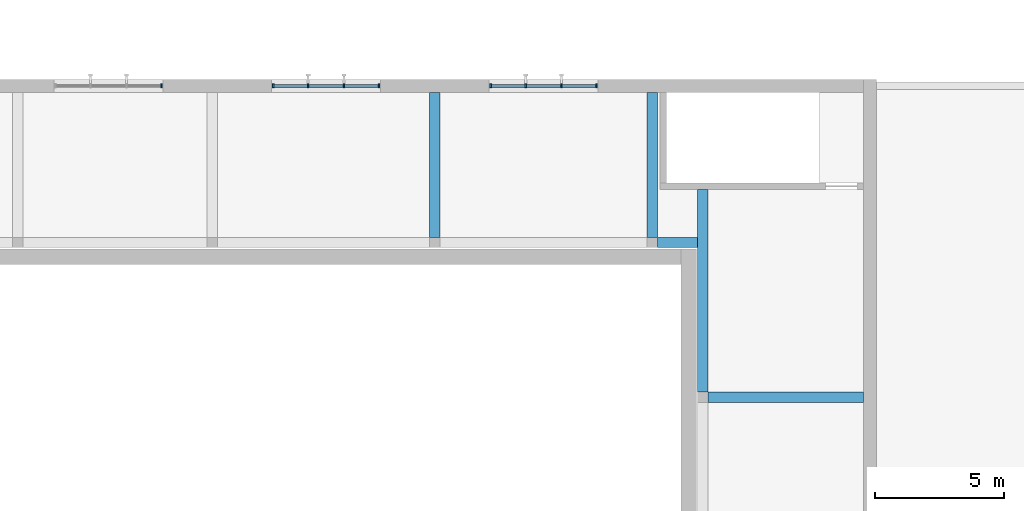
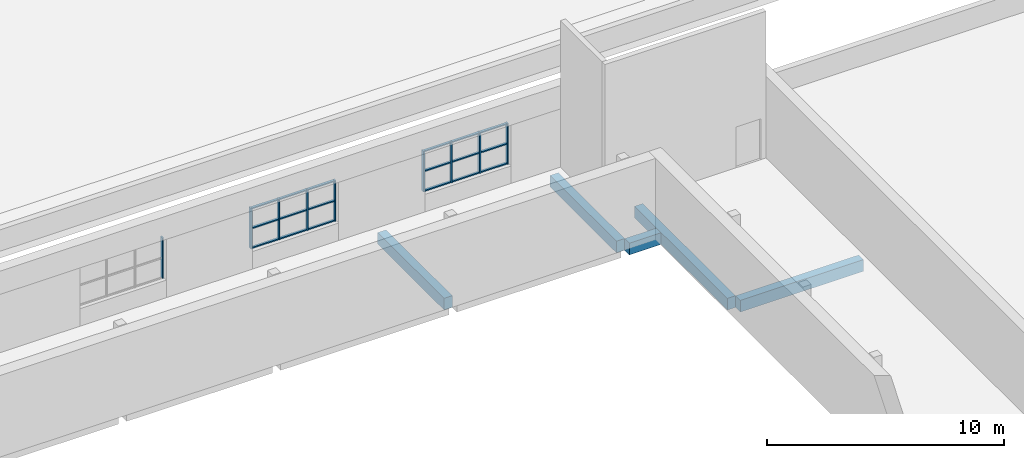
# One storey, part 29 of 60: 27 members, 5 beams, 3 elements without a shape of their own.
"""IFC4 building model written with IfcOpenShell, lengths in metres."""

from ifc_helpers import new_model, si_unit, direction, frame, origin, origin_2d, place, context, subcontext, project, spatial, rectangle, extrude, material, material_profile, profile_set, type_object, element, aggregate, save


model = new_model("IFC4")

# Units and contexts
model_context = context("Model", 3, precision=1e-05, world=origin(), true_north=direction((0.0, 1.0)))
body_context = subcontext(model_context, "Body", "Model", "MODEL_VIEW")
ifc_project = project(units=[si_unit("LENGTHUNIT", "METRE"), si_unit("AREAUNIT", "SQUARE_METRE"), si_unit("VOLUMEUNIT", "CUBIC_METRE"), si_unit("PLANEANGLEUNIT", "RADIAN"), si_unit("MASSUNIT", "GRAM", prefix="KILO")], contexts=[model_context])

# Site, building, storey
site_placement = place(None, origin())
site = spatial("IfcSite", under=ifc_project, at=site_placement, CompositionType="ELEMENT")
building_placement = place(site_placement, origin())
building = spatial("IfcBuilding", under=site, at=building_placement, Name="Ljudholm Concert House", CompositionType="ELEMENT")
storey_placement = place(building_placement, frame((0.0, 0.0, 15.0)))
storey = spatial("IfcBuildingStorey", under=building, at=storey_placement, Name="L03", CompositionType="ELEMENT", Elevation=15.0)

# Curtain wall, member
ifc_material_1 = material(Name="Aluminium curtain wall with impact-rated laminated glass", Category="aluminium")
curtain_wall_type = type_object("IfcCurtainWallType", Name="CURTAIN WALL 1400", PredefinedType="NOTDEFINED", material=ifc_material_1)
curtain_wall_1_placement = place(storey_placement, origin())
curtain_wall_1 = element("IfcCurtainWall", 1, at=curtain_wall_1_placement, inside=storey, type_object=curtain_wall_type, Name="Promenade curtain wall", PredefinedType="NOTDEFINED")
ifc_material_2 = material(Name="Aluminium extrusion", Category="aluminium")
ifc_material_profile_1 = material_profile(ifc_material_2, rectangle(XDim=0.159912109375, YDim=0.06005859375, at=origin_2d()), Name="MULLION 60x160")
ifc_profile_set_1 = profile_set([ifc_material_profile_1], Name="Aluminium extrusion")
member_type_1 = type_object("IfcMemberType", Name="MULLION 60x160", PredefinedType="MULLION", material=ifc_profile_set_1)
member_1_placement = place(storey_placement, frame((69.0400390625, 96.39990234375, 0.89990234375), z_axis=(0.0, 0.0, 1.0), x_axis=(0.0, 1.0, 0.0)))
member_1 = element("IfcMember", 2, at=member_1_placement, type_object=member_type_1, Name="Mullion", PredefinedType="MULLION", context=body_context, shape_type="SweptSolid", body=[
    extrude(rectangle(XDim=0.159912109375, YDim=0.06005859375, at=origin_2d()), origin(), (0.0, 0.0, 1.0), 2.10009765625),
])
aggregate(curtain_wall_1, [member_1])

# Curtain wall, members
curtain_wall_2_placement = place(storey_placement, origin())
curtain_wall_2 = element("IfcCurtainWall", 3, at=curtain_wall_2_placement, inside=storey, type_object=curtain_wall_type, Name="Promenade curtain wall", PredefinedType="NOTDEFINED")
member_2_placement = place(storey_placement, frame((73.360107421875, 96.39990234375, 0.89990234375), z_axis=(0.0, 0.0, 1.0), x_axis=(0.0, 1.0, 0.0)))
member_2 = element("IfcMember", 4, at=member_2_placement, type_object=member_type_1, Name="Mullion", PredefinedType="MULLION", context=body_context, shape_type="SweptSolid", body=[
    extrude(rectangle(XDim=0.159912109375, YDim=0.06005859375, at=origin_2d()), origin(), (0.0, 0.0, 1.0), 2.10009765625),
])
member_3_placement = place(storey_placement, frame((74.7099609375, 96.39990234375, 0.89990234375), z_axis=(0.0, 0.0, 1.0), x_axis=(0.0, 1.0, 0.0)))
member_3 = element("IfcMember", 5, at=member_3_placement, type_object=member_type_1, Name="Mullion", PredefinedType="MULLION", context=body_context, shape_type="SweptSolid", body=[
    extrude(rectangle(XDim=0.159912109375, YDim=0.06005859375, at=origin_2d()), origin(), (0.0, 0.0, 1.0), 2.10009765625),
])
member_4_placement = place(storey_placement, frame((76.090087890625, 96.39990234375, 0.89990234375), z_axis=(0.0, 0.0, 1.0), x_axis=(0.0, 1.0, 0.0)))
member_4 = element("IfcMember", 6, at=member_4_placement, type_object=member_type_1, Name="Mullion", PredefinedType="MULLION", context=body_context, shape_type="SweptSolid", body=[
    extrude(rectangle(XDim=0.159912109375, YDim=0.06005859375, at=origin_2d()), origin(), (0.0, 0.0, 1.0), 2.10009765625),
])
member_5_placement = place(storey_placement, frame((77.43994140625, 96.39990234375, 0.89990234375), z_axis=(0.0, 0.0, 1.0), x_axis=(0.0, 1.0, 0.0)))
member_5 = element("IfcMember", 7, at=member_5_placement, type_object=member_type_1, Name="Mullion", PredefinedType="MULLION", context=body_context, shape_type="SweptSolid", body=[
    extrude(rectangle(XDim=0.159912109375, YDim=0.06005859375, at=origin_2d()), origin(), (0.0, 0.0, 1.0), 2.10009765625),
])

curtain_wall_3_placement = place(storey_placement, origin())
curtain_wall_3 = element("IfcCurtainWall", 8, at=curtain_wall_3_placement, inside=storey, type_object=curtain_wall_type, Name="Promenade curtain wall", PredefinedType="NOTDEFINED")
member_6_placement = place(storey_placement, frame((81.760009765625, 96.39990234375, 0.89990234375), z_axis=(0.0, 0.0, 1.0), x_axis=(0.0, 1.0, 0.0)))
member_6 = element("IfcMember", 9, at=member_6_placement, type_object=member_type_1, Name="Mullion", PredefinedType="MULLION", context=body_context, shape_type="SweptSolid", body=[
    extrude(rectangle(XDim=0.159912109375, YDim=0.06005859375, at=origin_2d()), origin(), (0.0, 0.0, 1.0), 2.10009765625),
])
member_7_placement = place(storey_placement, frame((83.110107421875, 96.39990234375, 0.89990234375), z_axis=(0.0, 0.0, 1.0), x_axis=(0.0, 1.0, 0.0)))
member_7 = element("IfcMember", 10, at=member_7_placement, type_object=member_type_1, Name="Mullion", PredefinedType="MULLION", context=body_context, shape_type="SweptSolid", body=[
    extrude(rectangle(XDim=0.159912109375, YDim=0.06005859375, at=origin_2d()), origin(), (0.0, 0.0, 1.0), 2.10009765625),
])
member_8_placement = place(storey_placement, frame((84.489990234375, 96.39990234375, 0.89990234375), z_axis=(0.0, 0.0, 1.0), x_axis=(0.0, 1.0, 0.0)))
member_8 = element("IfcMember", 11, at=member_8_placement, type_object=member_type_1, Name="Mullion", PredefinedType="MULLION", context=body_context, shape_type="SweptSolid", body=[
    extrude(rectangle(XDim=0.159912109375, YDim=0.06005859375, at=origin_2d()), origin(), (0.0, 0.0, 1.0), 2.10009765625),
])
member_9_placement = place(storey_placement, frame((85.840087890625, 96.39990234375, 0.89990234375), z_axis=(0.0, 0.0, 1.0), x_axis=(0.0, 1.0, 0.0)))
member_9 = element("IfcMember", 12, at=member_9_placement, type_object=member_type_1, Name="Mullion", PredefinedType="MULLION", context=body_context, shape_type="SweptSolid", body=[
    extrude(rectangle(XDim=0.159912109375, YDim=0.06005859375, at=origin_2d()), origin(), (0.0, 0.0, 1.0), 2.10009765625),
])

# Beams
ifc_material_3 = material(Name="Concrete 6,500 psi", Category="concrete")
ifc_material_profile_2 = material_profile(ifc_material_3, rectangle(XDim=0.39990234375, YDim=0.60009765625, at=origin_2d()), Name="RC BEAM 400x600")
ifc_profile_set_2 = profile_set([ifc_material_profile_2], Name="Concrete 6,500 psi")
beam_type = type_object("IfcBeamType", Name="RC BEAM 400x600", PredefinedType="BEAM", material=ifc_profile_set_2)
for number, where, z_axis, x_axis, name in (
    (13, (79.60009765625, 90.550048828125, -0.550048828125), (0.0, 1.0, 0.0), (-1.0, 0.0, 0.0), "Ring cross beam"),
    (14, (88.0, 90.550048828125, -0.550048828125), (0.0, 1.0, 0.0), (-1.0, 0.0, 0.0), "Ring cross beam"),
):
    element("IfcBeam", number, at=place(storey_placement, frame(where, z_axis=z_axis, x_axis=x_axis)), inside=storey, type_object=beam_type, Name=name, PredefinedType="BEAM", context=body_context, shape_type="SweptSolid", body=[
        extrude(rectangle(XDim=0.39990234375, YDim=0.60009765625, at=origin_2d()), origin(), (0.0, 0.0, 1.0), 5.599853515625),
    ])
beam_1_placement = place(storey_placement, frame((90.14990234375, 84.3701171875, -0.550048828125), z_axis=(1.0, 0.0, 0.0), x_axis=(0.0, 1.0, 0.0)))
element("IfcBeam", 15, at=beam_1_placement, inside=storey, type_object=beam_type, Name="Ring cross beam", PredefinedType="BEAM", context=body_context, shape_type="SweptSolid", body=[
    extrude(rectangle(XDim=0.39990234375, YDim=0.60009765625, at=origin_2d()), origin(), (0.0, 0.0, 1.0), 6.0),
])
beam_2_placement = place(storey_placement, frame((88.199951171875, 90.35009765625, -0.550048828125), z_axis=(1.0, 0.0, 0.0), x_axis=(0.0, 1.0, 0.0)))
element("IfcBeam", 16, at=beam_2_placement, inside=storey, type_object=beam_type, Name="Ring beam", PredefinedType="BEAM", context=body_context, shape_type="SweptSolid", body=[
    extrude(rectangle(XDim=0.39990234375, YDim=0.60009765625, at=origin_2d()), origin(), (0.0, 0.0, 1.0), 1.550048828125),
])
beam_3_placement = place(storey_placement, frame((89.949951171875, 84.570068359375, -0.550048828125), z_axis=(0.0, 1.0, 0.0), x_axis=(-1.0, 0.0, 0.0)))
element("IfcBeam", 17, at=beam_3_placement, inside=storey, type_object=beam_type, Name="Ring beam", PredefinedType="BEAM", context=body_context, shape_type="SweptSolid", body=[
    extrude(rectangle(XDim=0.39990234375, YDim=0.60009765625, at=origin_2d()), origin(), (0.0, 0.0, 1.0), 7.829833984375),
])

# Member
ifc_material_4 = material(Name="Aluminium extrusion", Category="aluminium")
ifc_material_profile_3 = material_profile(ifc_material_4, rectangle(XDim=0.1201171875, YDim=0.06005859375, at=origin_2d()), Name="TRANSOM 60x120")
ifc_profile_set_3 = profile_set([ifc_material_profile_3], Name="Aluminium extrusion")
member_type_2 = type_object("IfcMemberType", Name="TRANSOM 60x120", PredefinedType="USERDEFINED", material=ifc_profile_set_3)
member_10_placement = place(storey_placement, frame((73.389892578125, 96.39990234375, 0.929931640625), z_axis=(1.0, 0.0, 0.0), x_axis=(0.0, 1.0, 0.0)))
member_10 = element("IfcMember", 18, at=member_10_placement, type_object=member_type_2, Name="Transom", ObjectType="TRANSOM", PredefinedType="USERDEFINED", context=body_context, shape_type="SweptSolid", body=[
    extrude(rectangle(XDim=0.1201171875, YDim=0.06005859375, at=origin_2d()), origin(), (0.0, 0.0, 1.0), 1.2900390625),
])

member_11_placement = place(storey_placement, frame((73.389892578125, 96.39990234375, 1.949951171875), z_axis=(1.0, 0.0, 0.0), x_axis=(0.0, 1.0, 0.0)))
member_11 = element("IfcMember", 19, at=member_11_placement, type_object=member_type_2, Name="Transom", ObjectType="TRANSOM", PredefinedType="USERDEFINED", context=body_context, shape_type="SweptSolid", body=[
    extrude(rectangle(XDim=0.1201171875, YDim=0.06005859375, at=origin_2d()), origin(), (0.0, 0.0, 1.0), 1.2900390625),
])

member_12_placement = place(storey_placement, frame((73.389892578125, 96.39990234375, 2.969970703125), z_axis=(1.0, 0.0, 0.0), x_axis=(0.0, 1.0, 0.0)))
member_12 = element("IfcMember", 20, at=member_12_placement, type_object=member_type_2, Name="Transom", ObjectType="TRANSOM", PredefinedType="USERDEFINED", context=body_context, shape_type="SweptSolid", body=[
    extrude(rectangle(XDim=0.1201171875, YDim=0.06005859375, at=origin_2d()), origin(), (0.0, 0.0, 1.0), 1.2900390625),
])

member_13_placement = place(storey_placement, frame((74.739990234375, 96.39990234375, 0.929931640625), z_axis=(1.0, 0.0, 0.0), x_axis=(0.0, 1.0, 0.0)))
member_13 = element("IfcMember", 21, at=member_13_placement, type_object=member_type_2, Name="Transom", ObjectType="TRANSOM", PredefinedType="USERDEFINED", context=body_context, shape_type="SweptSolid", body=[
    extrude(rectangle(XDim=0.1201171875, YDim=0.06005859375, at=origin_2d()), origin(), (0.0, 0.0, 1.0), 1.320068359375),
])

member_14_placement = place(storey_placement, frame((74.739990234375, 96.39990234375, 1.949951171875), z_axis=(1.0, 0.0, 0.0), x_axis=(0.0, 1.0, 0.0)))
member_14 = element("IfcMember", 22, at=member_14_placement, type_object=member_type_2, Name="Transom", ObjectType="TRANSOM", PredefinedType="USERDEFINED", context=body_context, shape_type="SweptSolid", body=[
    extrude(rectangle(XDim=0.1201171875, YDim=0.06005859375, at=origin_2d()), origin(), (0.0, 0.0, 1.0), 1.320068359375),
])

member_15_placement = place(storey_placement, frame((74.739990234375, 96.39990234375, 2.969970703125), z_axis=(1.0, 0.0, 0.0), x_axis=(0.0, 1.0, 0.0)))
member_15 = element("IfcMember", 23, at=member_15_placement, type_object=member_type_2, Name="Transom", ObjectType="TRANSOM", PredefinedType="USERDEFINED", context=body_context, shape_type="SweptSolid", body=[
    extrude(rectangle(XDim=0.1201171875, YDim=0.06005859375, at=origin_2d()), origin(), (0.0, 0.0, 1.0), 1.320068359375),
])

member_16_placement = place(storey_placement, frame((76.1201171875, 96.39990234375, 0.929931640625), z_axis=(1.0, 0.0, 0.0), x_axis=(0.0, 1.0, 0.0)))
member_16 = element("IfcMember", 24, at=member_16_placement, type_object=member_type_2, Name="Transom", ObjectType="TRANSOM", PredefinedType="USERDEFINED", context=body_context, shape_type="SweptSolid", body=[
    extrude(rectangle(XDim=0.1201171875, YDim=0.06005859375, at=origin_2d()), origin(), (0.0, 0.0, 1.0), 1.289794921875),
])

member_17_placement = place(storey_placement, frame((76.1201171875, 96.39990234375, 1.949951171875), z_axis=(1.0, 0.0, 0.0), x_axis=(0.0, 1.0, 0.0)))
member_17 = element("IfcMember", 25, at=member_17_placement, type_object=member_type_2, Name="Transom", ObjectType="TRANSOM", PredefinedType="USERDEFINED", context=body_context, shape_type="SweptSolid", body=[
    extrude(rectangle(XDim=0.1201171875, YDim=0.06005859375, at=origin_2d()), origin(), (0.0, 0.0, 1.0), 1.289794921875),
])

member_18_placement = place(storey_placement, frame((76.1201171875, 96.39990234375, 2.969970703125), z_axis=(1.0, 0.0, 0.0), x_axis=(0.0, 1.0, 0.0)))
member_18 = element("IfcMember", 26, at=member_18_placement, type_object=member_type_2, Name="Transom", ObjectType="TRANSOM", PredefinedType="USERDEFINED", context=body_context, shape_type="SweptSolid", body=[
    extrude(rectangle(XDim=0.1201171875, YDim=0.06005859375, at=origin_2d()), origin(), (0.0, 0.0, 1.0), 1.289794921875),
])

aggregate(curtain_wall_2, [member_2, member_3, member_4, member_5, member_10, member_11, member_12, member_13, member_14, member_15, member_16, member_17, member_18])

member_19_placement = place(storey_placement, frame((81.7900390625, 96.39990234375, 0.929931640625), z_axis=(1.0, 0.0, 0.0), x_axis=(0.0, 1.0, 0.0)))
member_19 = element("IfcMember", 27, at=member_19_placement, type_object=member_type_2, Name="Transom", ObjectType="TRANSOM", PredefinedType="USERDEFINED", context=body_context, shape_type="SweptSolid", body=[
    extrude(rectangle(XDim=0.1201171875, YDim=0.06005859375, at=origin_2d()), origin(), (0.0, 0.0, 1.0), 1.2900390625),
])

member_20_placement = place(storey_placement, frame((81.7900390625, 96.39990234375, 1.949951171875), z_axis=(1.0, 0.0, 0.0), x_axis=(0.0, 1.0, 0.0)))
member_20 = element("IfcMember", 28, at=member_20_placement, type_object=member_type_2, Name="Transom", ObjectType="TRANSOM", PredefinedType="USERDEFINED", context=body_context, shape_type="SweptSolid", body=[
    extrude(rectangle(XDim=0.1201171875, YDim=0.06005859375, at=origin_2d()), origin(), (0.0, 0.0, 1.0), 1.2900390625),
])

member_21_placement = place(storey_placement, frame((81.7900390625, 96.39990234375, 2.969970703125), z_axis=(1.0, 0.0, 0.0), x_axis=(0.0, 1.0, 0.0)))
member_21 = element("IfcMember", 29, at=member_21_placement, type_object=member_type_2, Name="Transom", ObjectType="TRANSOM", PredefinedType="USERDEFINED", context=body_context, shape_type="SweptSolid", body=[
    extrude(rectangle(XDim=0.1201171875, YDim=0.06005859375, at=origin_2d()), origin(), (0.0, 0.0, 1.0), 1.2900390625),
])

member_22_placement = place(storey_placement, frame((83.139892578125, 96.39990234375, 0.929931640625), z_axis=(1.0, 0.0, 0.0), x_axis=(0.0, 1.0, 0.0)))
member_22 = element("IfcMember", 30, at=member_22_placement, type_object=member_type_2, Name="Transom", ObjectType="TRANSOM", PredefinedType="USERDEFINED", context=body_context, shape_type="SweptSolid", body=[
    extrude(rectangle(XDim=0.1201171875, YDim=0.06005859375, at=origin_2d()), origin(), (0.0, 0.0, 1.0), 1.320068359375),
])

member_23_placement = place(storey_placement, frame((83.139892578125, 96.39990234375, 1.949951171875), z_axis=(1.0, 0.0, 0.0), x_axis=(0.0, 1.0, 0.0)))
member_23 = element("IfcMember", 31, at=member_23_placement, type_object=member_type_2, Name="Transom", ObjectType="TRANSOM", PredefinedType="USERDEFINED", context=body_context, shape_type="SweptSolid", body=[
    extrude(rectangle(XDim=0.1201171875, YDim=0.06005859375, at=origin_2d()), origin(), (0.0, 0.0, 1.0), 1.320068359375),
])

member_24_placement = place(storey_placement, frame((83.139892578125, 96.39990234375, 2.969970703125), z_axis=(1.0, 0.0, 0.0), x_axis=(0.0, 1.0, 0.0)))
member_24 = element("IfcMember", 32, at=member_24_placement, type_object=member_type_2, Name="Transom", ObjectType="TRANSOM", PredefinedType="USERDEFINED", context=body_context, shape_type="SweptSolid", body=[
    extrude(rectangle(XDim=0.1201171875, YDim=0.06005859375, at=origin_2d()), origin(), (0.0, 0.0, 1.0), 1.320068359375),
])

member_25_placement = place(storey_placement, frame((84.52001953125, 96.39990234375, 0.929931640625), z_axis=(1.0, 0.0, 0.0), x_axis=(0.0, 1.0, 0.0)))
member_25 = element("IfcMember", 33, at=member_25_placement, type_object=member_type_2, Name="Transom", ObjectType="TRANSOM", PredefinedType="USERDEFINED", context=body_context, shape_type="SweptSolid", body=[
    extrude(rectangle(XDim=0.1201171875, YDim=0.06005859375, at=origin_2d()), origin(), (0.0, 0.0, 1.0), 1.2900390625),
])

member_26_placement = place(storey_placement, frame((84.52001953125, 96.39990234375, 1.949951171875), z_axis=(1.0, 0.0, 0.0), x_axis=(0.0, 1.0, 0.0)))
member_26 = element("IfcMember", 34, at=member_26_placement, type_object=member_type_2, Name="Transom", ObjectType="TRANSOM", PredefinedType="USERDEFINED", context=body_context, shape_type="SweptSolid", body=[
    extrude(rectangle(XDim=0.1201171875, YDim=0.06005859375, at=origin_2d()), origin(), (0.0, 0.0, 1.0), 1.2900390625),
])

member_27_placement = place(storey_placement, frame((84.52001953125, 96.39990234375, 2.969970703125), z_axis=(1.0, 0.0, 0.0), x_axis=(0.0, 1.0, 0.0)))
member_27 = element("IfcMember", 35, at=member_27_placement, type_object=member_type_2, Name="Transom", ObjectType="TRANSOM", PredefinedType="USERDEFINED", context=body_context, shape_type="SweptSolid", body=[
    extrude(rectangle(XDim=0.1201171875, YDim=0.06005859375, at=origin_2d()), origin(), (0.0, 0.0, 1.0), 1.2900390625),
])

aggregate(curtain_wall_3, [member_6, member_7, member_8, member_9, member_19, member_20, member_21, member_22, member_23, member_24, member_25, member_26, member_27])

save(model, "model.ifc")
